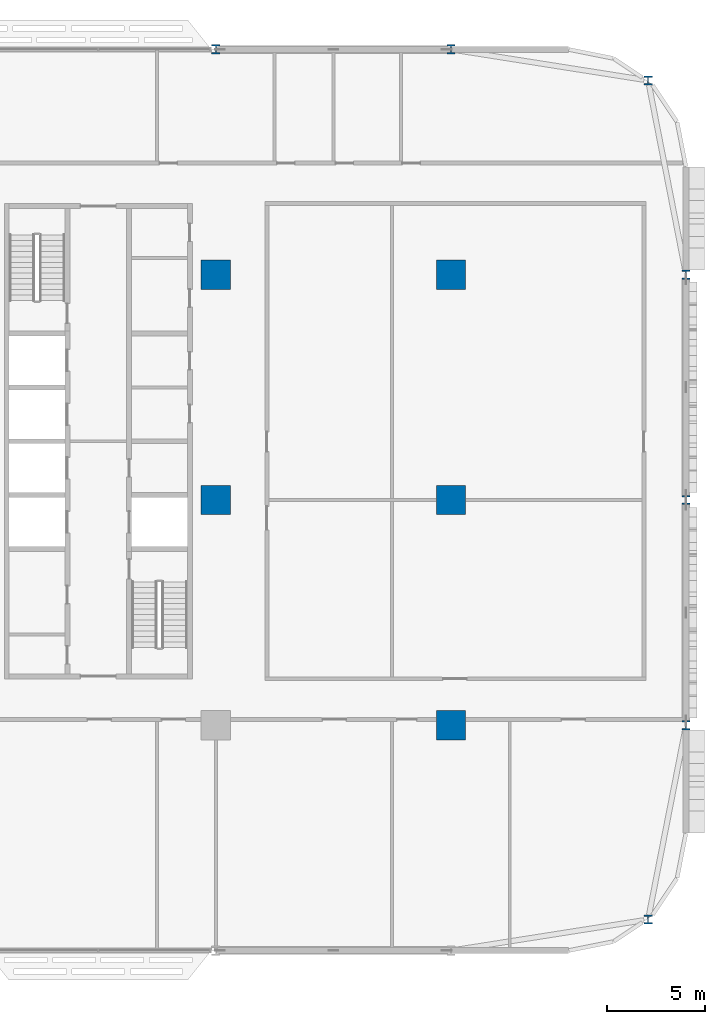
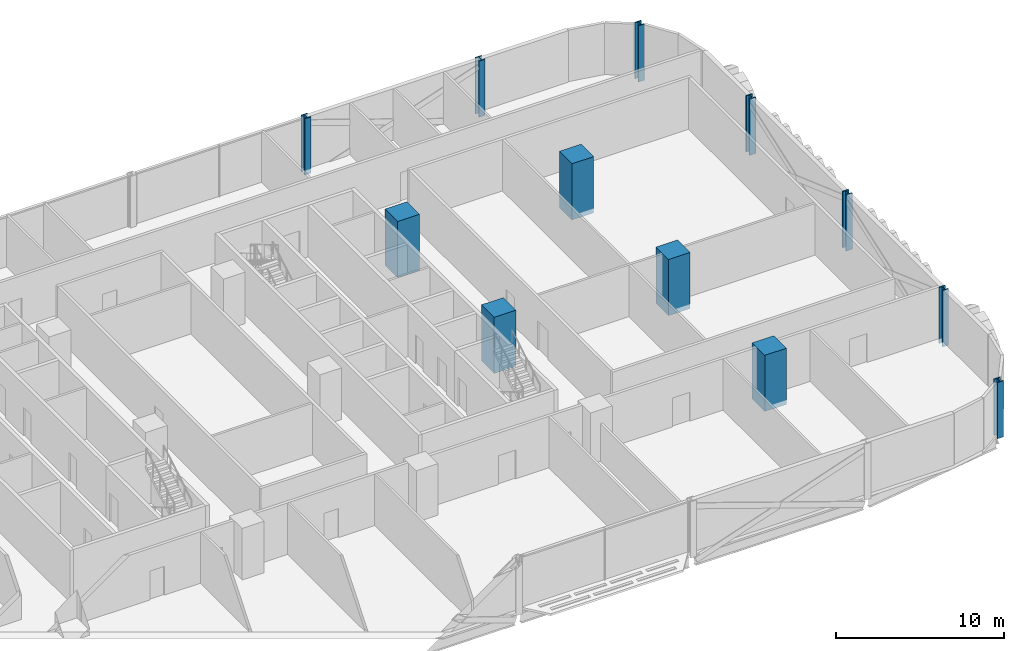
# One storey, part 2 of 29: 12 columns.
"""IFC4 building model written with IfcOpenShell, lengths in metres."""

import ifcopenshell
import ifcopenshell.guid

model = None  # the IFC model being written
_history = None  # IfcOwnerHistory: only IFC2X3 demands one
_inside = {}  # id of a spatial element -> (the spatial element, [elements in it])
_under = {}  # id of a project, library or spatial element -> (it, [spatial elements below it])
_declared = {}  # id of a project -> (the project, [libraries it declares])
_typed = {}  # id of a type object -> (the type object, [elements of that type])
_made_of = {}  # id of a material, layer set ... -> (it, [elements and type objects made of it])


def new_model(schema):
    """Start an empty IFC model of exactly this schema.

    Asked for "IFC4X3", IfcOpenShell would pick the latest addendum, in which some entities
    have other attributes; the version numbers below select the first issue.
    IFC2X3 requires an IfcOwnerHistory on every rooted entity: one is made here for all.
    """
    global model, _history
    if schema == "IFC4X3":
        model = ifcopenshell.file(schema_version=(4, 3, 0, 0))
    else:
        model = ifcopenshell.file(schema=schema)
    _inside.clear()
    _under.clear()
    _declared.clear()
    _typed.clear()
    _made_of.clear()
    _history = None
    if model.schema == "IFC2X3":
        org = make("IfcOrganization", Name="unknown")
        user = make(
            "IfcPersonAndOrganization",
            ThePerson=make("IfcPerson", FamilyName="unknown"),
            TheOrganization=org,
        )
        app = make(
            "IfcApplication",
            ApplicationDeveloper=org,
            Version="unknown",
            ApplicationFullName="unknown",
            ApplicationIdentifier="unknown",
        )
        _history = make(
            "IfcOwnerHistory",
            OwningUser=user,
            OwningApplication=app,
            ChangeAction="ADDED",
            CreationDate=0,
        )
    return model


def make(cls, **values):
    """One entity of the class cls with the attributes given. An attribute that is None is left unset."""
    return model.create_entity(
        cls, **{name: value for name, value in values.items() if value is not None}
    )


def rooted(cls, **values):
    """An entity with a GlobalId (a new one), such as an element, a storey or a relation."""
    return make(cls, GlobalId=ifcopenshell.guid.new(), OwnerHistory=_history, **values)


def si_unit(unit_type, name, prefix=None):
    """IfcSIUnit, for example si_unit("LENGTHUNIT", "METRE", prefix="MILLI")."""
    return make("IfcSIUnit", UnitType=unit_type, Prefix=prefix, Name=name)


def assignment(units):
    """IfcUnitAssignment: the units of a project."""
    return None if units is None else make("IfcUnitAssignment", Units=units)


def point(xyz):
    """IfcCartesianPoint."""
    return None if xyz is None else make("IfcCartesianPoint", Coordinates=xyz)


def direction(xyz):
    """IfcDirection."""
    return None if xyz is None else make("IfcDirection", DirectionRatios=xyz)


def frame(location, z_axis=None, x_axis=None):
    """IfcAxis2Placement3D, a coordinate frame: its origin and axes. An axis left out is left unset."""
    return make(
        "IfcAxis2Placement3D",
        Location=point(location),
        Axis=direction(z_axis),
        RefDirection=direction(x_axis),
    )


def frame_2d(location, x_axis=None):
    """IfcAxis2Placement2D, a coordinate frame in the plane: its origin and x axis."""
    return make(
        "IfcAxis2Placement2D", Location=point(location), RefDirection=direction(x_axis)
    )


def origin():
    """The frame at (0, 0, 0) with its axes left unset."""
    return frame((0.0, 0.0, 0.0))


def origin_2d():
    """The frame at (0, 0) in the plane with its x axis left unset."""
    return frame_2d((0.0, 0.0))


def place(relative_to, where):
    """IfcLocalPlacement: puts the frame where relative to a parent placement (None: the world)."""
    return make(
        "IfcLocalPlacement", PlacementRelTo=relative_to, RelativePlacement=where
    )


def context(
    kind, dimensions, precision=None, world=None, true_north=None, identifier=None
):
    """IfcGeometricRepresentationContext, for example the 3D "Model" context."""
    return make(
        "IfcGeometricRepresentationContext",
        ContextIdentifier=identifier,
        ContextType=kind,
        CoordinateSpaceDimension=dimensions,
        Precision=precision,
        WorldCoordinateSystem=world,
        TrueNorth=true_north,
    )


def subcontext(parent, identifier, kind, view, scale=None):
    """IfcGeometricRepresentationSubContext, for example "Body" below "Model"."""
    return make(
        "IfcGeometricRepresentationSubContext",
        ContextIdentifier=identifier,
        ContextType=kind,
        ParentContext=parent,
        TargetScale=scale,
        TargetView=view,
    )


def project(units=None, contexts=None):
    """IfcProject with its units and contexts."""
    return rooted(
        "IfcProject",
        Name="project",
        RepresentationContexts=contexts,
        UnitsInContext=assignment(units),
    )


def spatial(cls, under=None, at=None, **own):
    """A site, building, storey or space (cls), placed at a placement, below another one or the project."""
    s = rooted(cls, ObjectPlacement=at, **own)
    if under is not None:
        _under.setdefault(under.id(), (under, []))[1].append(s)
    return s


def profile(cls, at=None, kind="AREA", **sizes):
    """A parametric profile (cls). Its sizes go by their IFC names, for example OverallWidth=200.0."""
    return make(cls, ProfileType=kind, Position=at, **sizes)


def rectangle(**sizes):
    """IfcRectangleProfileDef."""
    return profile("IfcRectangleProfileDef", **sizes)


def i_section(**sizes):
    """IfcIShapeProfileDef."""
    return profile("IfcIShapeProfileDef", **sizes)


def extrude(swept, where, along, depth):
    """IfcExtrudedAreaSolid: the profile swept, set in the frame where, extruded along a direction by depth."""
    return make(
        "IfcExtrudedAreaSolid",
        SweptArea=swept,
        Position=where,
        ExtrudedDirection=direction(along),
        Depth=depth,
    )


def shape(context_of_items, identifier, shape_type, items):
    """IfcShapeRepresentation: the items that make up one representation, for example the "Body"."""
    return make(
        "IfcShapeRepresentation",
        ContextOfItems=context_of_items,
        RepresentationIdentifier=identifier,
        RepresentationType=shape_type,
        Items=items,
    )


def material(Name=None, Category=None):
    """IfcMaterial."""
    return make("IfcMaterial", Name=Name, Category=Category)


def material_profile(
    of_material, cross_section, Name=None, Category=None, Priority=None
):
    """IfcMaterialProfile: a cross section and its material."""
    return make(
        "IfcMaterialProfile",
        Name=Name,
        Material=of_material,
        Profile=cross_section,
        Priority=Priority,
        Category=Category,
    )


def profile_set(profiles, Name=None, composite=None):
    """IfcMaterialProfileSet."""
    return make(
        "IfcMaterialProfileSet",
        Name=Name,
        MaterialProfiles=profiles,
        CompositeProfile=composite,
    )


def made_of(thing, what):
    """Note that an element or type object is made of a material, layer set ...; save() writes the relation."""
    if what is not None:
        _made_of.setdefault(what.id(), (what, []))[1].append(thing)
    return thing


def type_object(cls, material=None, **own):
    """A type object (cls), such as IfcWallType, which elements share."""
    return made_of(rooted(cls, **own), material)


def element(
    cls,
    number,
    at=None,
    inside=None,
    cuts=None,
    type_object=None,
    material=None,
    context=None,
    identifier="Body",
    shape_type=None,
    held_by="IfcProductDefinitionShape",
    body=None,
    shapes=None,
    **own,
):
    """One element of the class cls, such as IfcWall. Its Tag is "e" and its number.

    at: its placement. inside: the storey or other place that contains it. cuts: it is an
    opening in that element (IfcRelVoidsElement). A single representation is given by context,
    identifier, shape_type and body (its items); several are given by shapes. held_by: the class
    of the entity that holds the representations. save() writes the other relations.
    """
    e = rooted(cls, Tag="e%d" % number, ObjectPlacement=at, **own)
    if body is not None:
        shapes = [shape(context, identifier, shape_type, body)]
    if shapes is not None:
        e.Representation = make(held_by, Representations=shapes)
    if inside is not None:
        _inside.setdefault(inside.id(), (inside, []))[1].append(e)
    if cuts is not None:
        rooted(
            "IfcRelVoidsElement", RelatingBuildingElement=cuts, RelatedOpeningElement=e
        )
    if type_object is not None:
        _typed.setdefault(type_object.id(), (type_object, []))[1].append(e)
    return made_of(e, material)


def aggregate(whole, parts):
    """IfcRelAggregates: a whole, such as a stair, and the parts it consists of."""
    return rooted("IfcRelAggregates", RelatingObject=whole, RelatedObjects=parts)


def save(model, path):
    """Write the relations noted so far, then the file.

    IfcRelAggregates (storeys below a building ...), IfcRelContainedInSpatialStructure (elements
    in a storey), IfcRelDefinesByType, IfcRelAssociatesMaterial and IfcRelDeclares: one each for
    every whole, place, type object, material and project.
    """
    for whole, parts in _under.values():
        aggregate(whole, parts)
    for where, things in _inside.values():
        rooted(
            "IfcRelContainedInSpatialStructure",
            RelatedElements=things,
            RelatingStructure=where,
        )
    for kind, things in _typed.values():
        rooted("IfcRelDefinesByType", RelatedObjects=things, RelatingType=kind)
    for what, things in _made_of.values():
        rooted("IfcRelAssociatesMaterial", RelatedObjects=things, RelatingMaterial=what)
    for by, libraries in _declared.values():
        rooted("IfcRelDeclares", RelatingContext=by, RelatedDefinitions=libraries)
    model.write(path)


model = new_model("IFC4")

# Units and contexts
model_context = context("Model", 3, precision=1e-05, world=origin(), true_north=direction((0.0, 1.0)))
body_context = subcontext(model_context, "Body", "Model", "MODEL_VIEW")
ifc_project = project(units=[si_unit("LENGTHUNIT", "METRE"), si_unit("AREAUNIT", "SQUARE_METRE"), si_unit("VOLUMEUNIT", "CUBIC_METRE"), si_unit("PLANEANGLEUNIT", "RADIAN"), si_unit("MASSUNIT", "GRAM", prefix="KILO")], contexts=[model_context])

# Site, building, storey
site_placement = place(None, origin())
site = spatial("IfcSite", under=ifc_project, at=site_placement, CompositionType="ELEMENT")
building_placement = place(site_placement, origin())
building = spatial("IfcBuilding", under=site, at=building_placement, Name="Mahtab Terrace Research Tower", CompositionType="ELEMENT")
storey_placement = place(building_placement, frame((0.0, 0.0, 76.10009765625)))
storey = spatial("IfcBuildingStorey", under=building, at=storey_placement, Name="L17", CompositionType="ELEMENT", Elevation=76.10009765625)

# Columns
ifc_material_1 = material(Name="Concrete C70/85", Category="concrete")
ifc_material_profile_1 = material_profile(ifc_material_1, rectangle(XDim=1.5, YDim=1.5, at=origin_2d()), Name="RC column 1500x1500")
ifc_profile_set_1 = profile_set([ifc_material_profile_1], Name="Concrete C70/85")
column_type_1 = type_object("IfcColumnType", Name="RC column 1500x1500", PredefinedType="COLUMN", material=ifc_profile_set_1)
for number, where, z_axis, x_axis, name in (
    (1, (30.0, 0.0, -0.340087890625), (0.0, 0.0, 1.0), (1.0, 0.0, 0.0), "Column RC-7B L17"),
    (2, (30.0, 11.5, -0.340087890625), (0.0, 0.0, 1.0), (1.0, 0.0, 0.0), "Column RC-7C L17"),
    (3, (42.0, -11.5, -0.340087890625), (0.0, 0.0, 1.0), (1.0, 0.0, 0.0), "Column RC-8A L17"),
    (4, (42.0, 0.0, -0.340087890625), (0.0, 0.0, 1.0), (1.0, 0.0, 0.0), "Column RC-8B L17"),
    (5, (42.0, 11.5, -0.340087890625), (0.0, 0.0, 1.0), (1.0, 0.0, 0.0), "Column RC-8C L17"),
):
    element("IfcColumn", number, at=place(storey_placement, frame(where, z_axis=z_axis, x_axis=x_axis)), inside=storey, type_object=column_type_1, Name=name, PredefinedType="COLUMN", context=body_context, shape_type="SweptSolid", body=[
        extrude(rectangle(XDim=1.5, YDim=1.5, at=origin_2d()), origin(), (0.0, 0.0, 1.0), 4.090087890625),
    ])
ifc_material_2 = material(Name="Steel ASTM A992 Gr 50", Category="steel")
ifc_material_profile_2 = material_profile(ifc_material_2, i_section(OverallWidth=0.42431640625, OverallDepth=0.47509765625, WebThickness=0.0478515625, FlangeThickness=0.0771484375, at=origin_2d()), Name="W14X426")
ifc_profile_set_2 = profile_set([ifc_material_profile_2], Name="Steel ASTM A992 Gr 50")
column_type_2 = type_object("IfcColumnType", Name="W14x426 column CS14426", PredefinedType="COLUMN", material=ifc_profile_set_2)
for number, where, z_axis, x_axis, name in (
    (6, (52.06201171875, 21.416015625, -0.340087890625), (0.0, 0.0, 1.0), (1.0, 0.0, 0.0), "Column SC-023 L17"),
    (7, (42.0, 23.0, -0.340087890625), (0.0, 0.0, 1.0), (1.0, 0.0, 0.0), "Column SC-001 L17"),
    (8, (30.0, 23.0, -0.340087890625), (0.0, 0.0, 1.0), (1.0, 0.0, 0.0), "Column SC-002 L17"),
    (9, (52.06201171875, -21.416015625, -0.340087890625), (0.0, 0.0, 1.0), (1.0, 0.0, 0.0), "Column SC-026 L17"),
    (10, (54.0, -11.5, -0.340087890625), (0.0, 0.0, 1.0), (1.0, 0.0, 0.0), "Column SC-027 L17"),
    (11, (54.0, 0.0, -0.340087890625), (0.0, 0.0, 1.0), (1.0, 0.0, 0.0), "Column SC-028 L17"),
    (12, (54.0, 11.5, -0.340087890625), (0.0, 0.0, 1.0), (1.0, 0.0, 0.0), "Column SC-029 L17"),
):
    element("IfcColumn", number, at=place(storey_placement, frame(where, z_axis=z_axis, x_axis=x_axis)), inside=storey, type_object=column_type_2, Name=name, PredefinedType="COLUMN", context=body_context, shape_type="SweptSolid", body=[
        extrude(i_section(OverallWidth=0.42431640625, OverallDepth=0.47509765625, WebThickness=0.0478515625, FlangeThickness=0.0771484375, at=origin_2d()), origin(), (0.0, 0.0, 1.0), 4.090087890625),
    ])

save(model, "model.ifc")
